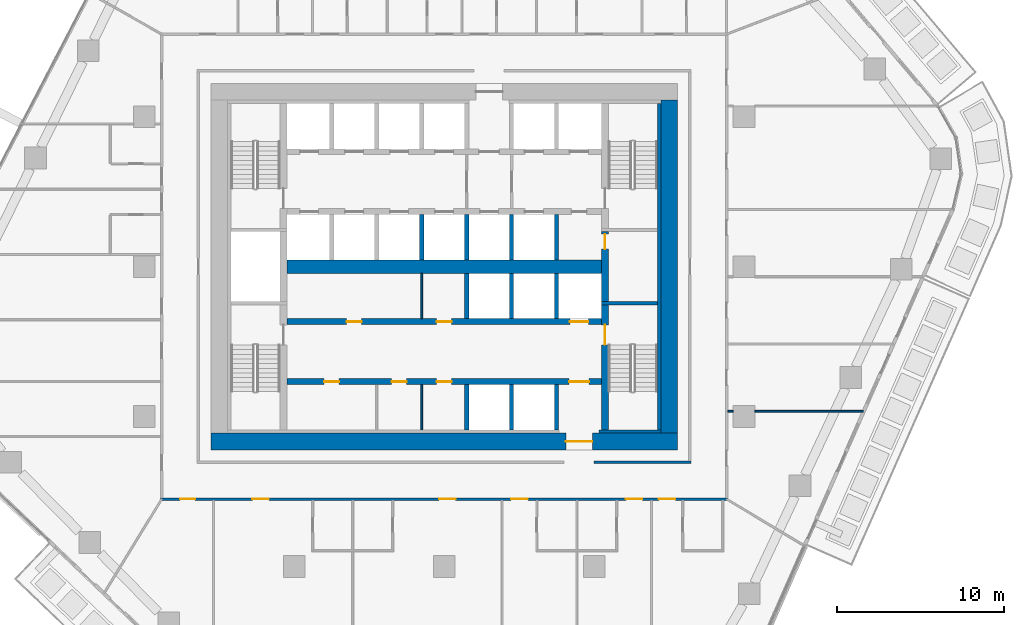
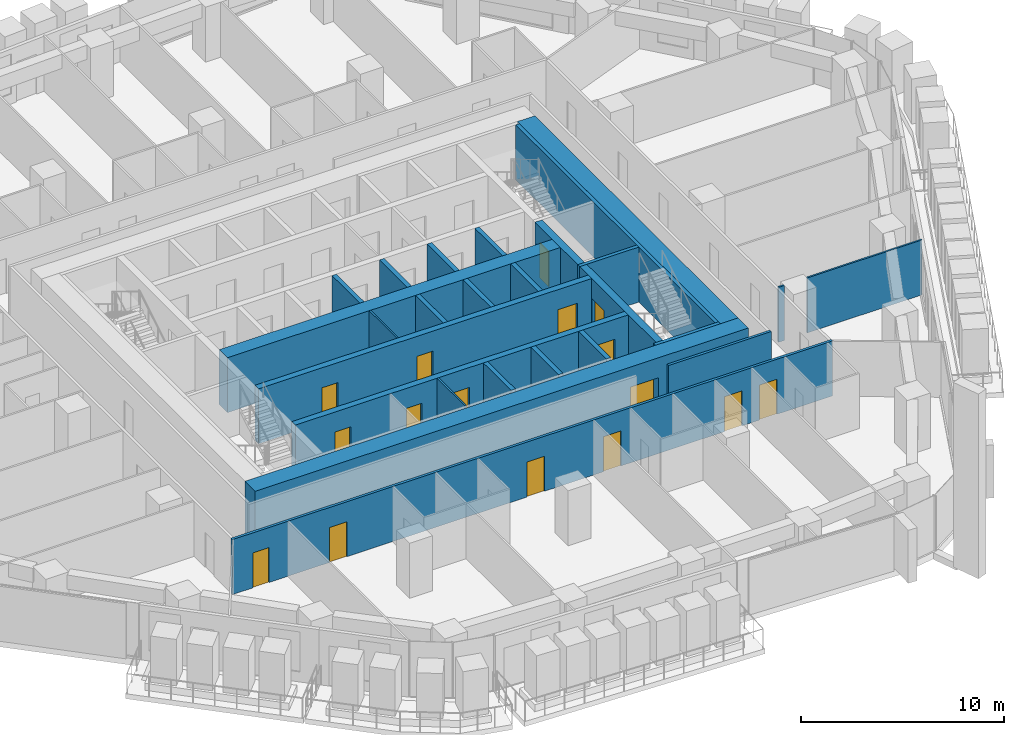
# One storey, part 13 of 24: 26 walls, 16 doors, 16 openings.
"""IFC4 building model written with IfcOpenShell, lengths in metres."""

from ifc_helpers import new_model, si_unit, direction, frame, frame_2d, origin, place, context, subcontext, project, spatial, rectangle, extrude, material, layer, layer_set, type_object, element, fill, save


model = new_model("IFC4")

# Units and contexts
model_context = context("Model", 3, precision=1e-05, world=origin(), true_north=direction((0.0, 1.0)))
body_context = subcontext(model_context, "Body", "Model", "MODEL_VIEW")
ifc_project = project(units=[si_unit("LENGTHUNIT", "METRE"), si_unit("AREAUNIT", "SQUARE_METRE"), si_unit("VOLUMEUNIT", "CUBIC_METRE"), si_unit("PLANEANGLEUNIT", "RADIAN"), si_unit("MASSUNIT", "GRAM", prefix="KILO")], contexts=[model_context])

# Site, building, storey
site_placement = place(None, origin())
site = spatial("IfcSite", under=ifc_project, at=site_placement, CompositionType="ELEMENT")
building_placement = place(site_placement, origin())
building = spatial("IfcBuilding", under=site, at=building_placement, Name="Dongbaek Canopy Tower", CompositionType="ELEMENT")
storey_placement = place(building_placement, frame((0.0, 0.0, 106.300048828125)))
storey = spatial("IfcBuildingStorey", under=building, at=storey_placement, Name="L22", CompositionType="ELEMENT", Elevation=106.300048828125)

# Wall
ifc_material_1 = material(Name="Concrete C60/75", Category="concrete")
ifc_layer_1 = layer(ifc_material_1, 0.800048828125)
ifc_layer_set_1 = layer_set([ifc_layer_1], Name="Core central wall 800 Concrete C60/75")
wall_type_1 = type_object("IfcWallType", Name="Core central wall 800 Concrete C60/75", PredefinedType="SHEAR", material=ifc_layer_set_1)
wall_1_placement = place(storey_placement, frame((-9.449951171875, 0.0, 0.0), z_axis=(0.0, 0.0, 1.0), x_axis=(1.0, 0.0, 0.0)))
element("IfcWall", 1, at=wall_1_placement, inside=storey, type_object=wall_type_1, Name="Core wall", PredefinedType="SHEAR", context=body_context, shape_type="SweptSolid", body=[
    extrude(rectangle(XDim=18.89990234375, YDim=0.800048828125, at=frame_2d((9.449951171875, 0.0))), origin(), (0.0, 0.0, 1.0), 3.300048828125),
])

# Wall, openings, doors
ifc_material_2 = material(Name="Concrete C60/75", Category="concrete")
ifc_layer_2 = layer(ifc_material_2, 0.35009765625)
ifc_layer_set_2 = layer_set([ifc_layer_2], Name="Core lobby wall 350 Concrete C60/75")
wall_type_2 = type_object("IfcWallType", Name="Core lobby wall 350 Concrete C60/75", PredefinedType="SHEAR", material=ifc_layer_set_2)
wall_2_placement = place(storey_placement, frame((-9.449951171875, -3.300048828125, 0.0), z_axis=(0.0, 0.0, 1.0), x_axis=(1.0, 0.0, 0.0)))
wall_2 = element("IfcWall", 2, at=wall_2_placement, inside=storey, type_object=wall_type_2, Name="Core wall", PredefinedType="SHEAR", context=body_context, shape_type="SweptSolid", body=[
    extrude(rectangle(XDim=18.89990234375, YDim=0.35009765625, at=frame_2d((9.449951171875, 0.0))), origin(), (0.0, 0.0, 1.0), 3.300048828125),
])
opening_1_placement = place(wall_2_placement, frame((17.0, 0.0, 0.0)))
opening_1 = element("IfcOpeningElement", 3, at=opening_1_placement, cuts=wall_2, Name="Opening L22-D057", PredefinedType="OPENING", context=body_context, shape_type="SweptSolid", body=[
    extrude(rectangle(XDim=1.10009765625, YDim=2.10009765625, at=frame_2d((0.550048828125, 1.050048828125))), frame((0.0, 0.18505859375, 0.0), z_axis=(0.0, -1.0, 0.0), x_axis=(1.0, 0.0, 0.0)), (0.0, 0.0, 1.0), 0.3701171875),
])
opening_2_placement = place(wall_2_placement, frame((3.60009765625, 0.0, 0.0)))
opening_2 = element("IfcOpeningElement", 4, at=opening_2_placement, cuts=wall_2, Name="Opening L22-D060", PredefinedType="OPENING", context=body_context, shape_type="SweptSolid", body=[
    extrude(rectangle(XDim=0.89990234375, YDim=2.10009765625, at=frame_2d((0.449951171875, 1.050048828125))), frame((0.0, 0.18505859375, 0.0), z_axis=(0.0, -1.0, 0.0), x_axis=(1.0, 0.0, 0.0)), (0.0, 0.0, 1.0), 0.3701171875),
])
opening_3_placement = place(wall_2_placement, frame((9.0, 0.0, 0.0)))
opening_3 = element("IfcOpeningElement", 5, at=opening_3_placement, cuts=wall_2, Name="Opening L22-D061", PredefinedType="OPENING", context=body_context, shape_type="SweptSolid", body=[
    extrude(rectangle(XDim=0.89990234375, YDim=2.10009765625, at=frame_2d((0.449951171875, 1.050048828125))), frame((0.0, 0.18505859375, 0.0), z_axis=(0.0, -1.0, 0.0), x_axis=(1.0, 0.0, 0.0)), (0.0, 0.0, 1.0), 0.3701171875),
])
ifc_material_3 = material(Name="Steel", Category="steel")
door_type_1 = type_object("IfcDoorType", Name="Core room door 900 x 2100", OperationType="SINGLE_SWING_LEFT", PredefinedType="DOOR", material=ifc_material_3)
door_1_placement = place(opening_2_placement, origin())
door_1 = element("IfcDoor", 6, at=door_1_placement, inside=storey, type_object=door_type_1, Name="Door L22-D060", OperationType="SINGLE_SWING_RIGHT", OverallHeight=2.10009765625, OverallWidth=0.89990234375, PredefinedType="DOOR", context=body_context, shape_type="SweptSolid", body=[
    extrude(rectangle(XDim=0.89990234375, YDim=2.10009765625, at=frame_2d((0.449951171875, 1.050048828125))), frame((0.0, 0.02490234375, 0.0), z_axis=(0.0, -1.0, 0.0), x_axis=(1.0, 0.0, 0.0)), (0.0, 0.0, 1.0), 0.050048828125),
])
fill(opening_2, door_1)
door_2_placement = place(opening_3_placement, origin())
door_2 = element("IfcDoor", 7, at=door_2_placement, inside=storey, type_object=door_type_1, Name="Door L22-D061", OperationType="SINGLE_SWING_LEFT", OverallHeight=2.10009765625, OverallWidth=0.89990234375, PredefinedType="DOOR", context=body_context, shape_type="SweptSolid", body=[
    extrude(rectangle(XDim=0.89990234375, YDim=2.10009765625, at=frame_2d((0.449951171875, 1.050048828125))), frame((0.0, 0.02490234375, 0.0), z_axis=(0.0, -1.0, 0.0), x_axis=(1.0, 0.0, 0.0)), (0.0, 0.0, 1.0), 0.050048828125),
])
fill(opening_3, door_2)
ifc_material_4 = material(Name="Stainless steel", Category="steel")
door_type_2 = type_object("IfcDoorType", Name="Lift landing door 1100 x 2100", OperationType="DOUBLE_DOOR_SLIDING", PredefinedType="DOOR", material=ifc_material_4)
door_3_placement = place(opening_1_placement, origin())
door_3 = element("IfcDoor", 8, at=door_3_placement, inside=storey, type_object=door_type_2, Name="Landing door SV2", OperationType="DOUBLE_DOOR_SLIDING", OverallHeight=2.10009765625, OverallWidth=1.10009765625, PredefinedType="DOOR", context=body_context, shape_type="SweptSolid", body=[
    extrude(rectangle(XDim=1.10009765625, YDim=2.10009765625, at=frame_2d((0.550048828125, 1.050048828125))), frame((0.0, 0.02490234375, 0.0), z_axis=(0.0, -1.0, 0.0), x_axis=(1.0, 0.0, 0.0)), (0.0, 0.0, 1.0), 0.050048828125),
])
fill(opening_1, door_3)

wall_3_placement = place(storey_placement, frame((9.449951171875, -6.89990234375, 0.0), z_axis=(0.0, 0.0, 1.0), x_axis=(-1.0, 0.0, 0.0)))
wall_3 = element("IfcWall", 9, at=wall_3_placement, inside=storey, type_object=wall_type_2, Name="Core wall", PredefinedType="SHEAR", context=body_context, shape_type="SweptSolid", body=[
    extrude(rectangle(XDim=18.89990234375, YDim=0.35009765625, at=frame_2d((9.449951171875, 0.0))), origin(), (0.0, 0.0, 1.0), 3.300048828125),
])
opening_4_placement = place(wall_3_placement, frame((0.75, 0.0, 0.0)))
opening_4 = element("IfcOpeningElement", 10, at=opening_4_placement, cuts=wall_3, Name="Opening L22-D059", PredefinedType="OPENING", context=body_context, shape_type="SweptSolid", body=[
    extrude(rectangle(XDim=1.199951171875, YDim=2.10009765625, at=frame_2d((0.60009765625, 1.050048828125))), frame((0.0, 0.18505859375, 0.0), z_axis=(0.0, -1.0, 0.0), x_axis=(1.0, 0.0, 0.0)), (0.0, 0.0, 1.0), 0.3701171875),
])
opening_5_placement = place(wall_3_placement, frame((15.75, 0.0, 0.0)))
opening_5 = element("IfcOpeningElement", 11, at=opening_5_placement, cuts=wall_3, Name="Opening L22-D062", PredefinedType="OPENING", context=body_context, shape_type="SweptSolid", body=[
    extrude(rectangle(XDim=0.89990234375, YDim=2.10009765625, at=frame_2d((0.449951171875, 1.050048828125))), frame((0.0, 0.18505859375, 0.0), z_axis=(0.0, -1.0, 0.0), x_axis=(1.0, 0.0, 0.0)), (0.0, 0.0, 1.0), 0.3701171875),
])
opening_6_placement = place(wall_3_placement, frame((11.699951171875, 0.0, 0.0)))
opening_6 = element("IfcOpeningElement", 12, at=opening_6_placement, cuts=wall_3, Name="Opening L22-D063", PredefinedType="OPENING", context=body_context, shape_type="SweptSolid", body=[
    extrude(rectangle(XDim=0.89990234375, YDim=2.10009765625, at=frame_2d((0.449951171875, 1.050048828125))), frame((0.0, 0.18505859375, 0.0), z_axis=(0.0, -1.0, 0.0), x_axis=(1.0, 0.0, 0.0)), (0.0, 0.0, 1.0), 0.3701171875),
])
opening_7_placement = place(wall_3_placement, frame((9.0, 0.0, 0.0)))
opening_7 = element("IfcOpeningElement", 13, at=opening_7_placement, cuts=wall_3, Name="Opening L22-D064", PredefinedType="OPENING", context=body_context, shape_type="SweptSolid", body=[
    extrude(rectangle(XDim=0.89990234375, YDim=2.10009765625, at=frame_2d((0.449951171875, 1.050048828125))), frame((0.0, 0.18505859375, 0.0), z_axis=(0.0, -1.0, 0.0), x_axis=(1.0, 0.0, 0.0)), (0.0, 0.0, 1.0), 0.3701171875),
])
door_4_placement = place(opening_5_placement, origin())
door_4 = element("IfcDoor", 14, at=door_4_placement, inside=storey, type_object=door_type_1, Name="Door L22-D062", OperationType="SINGLE_SWING_RIGHT", OverallHeight=2.10009765625, OverallWidth=0.89990234375, PredefinedType="DOOR", context=body_context, shape_type="SweptSolid", body=[
    extrude(rectangle(XDim=0.89990234375, YDim=2.10009765625, at=frame_2d((0.449951171875, 1.050048828125))), frame((0.0, 0.02490234375, 0.0), z_axis=(0.0, -1.0, 0.0), x_axis=(1.0, 0.0, 0.0)), (0.0, 0.0, 1.0), 0.050048828125),
])
fill(opening_5, door_4)
door_5_placement = place(opening_6_placement, origin())
door_5 = element("IfcDoor", 15, at=door_5_placement, inside=storey, type_object=door_type_1, Name="Door L22-D063", OperationType="SINGLE_SWING_LEFT", OverallHeight=2.10009765625, OverallWidth=0.89990234375, PredefinedType="DOOR", context=body_context, shape_type="SweptSolid", body=[
    extrude(rectangle(XDim=0.89990234375, YDim=2.10009765625, at=frame_2d((0.449951171875, 1.050048828125))), frame((0.0, 0.02490234375, 0.0), z_axis=(0.0, -1.0, 0.0), x_axis=(1.0, 0.0, 0.0)), (0.0, 0.0, 1.0), 0.050048828125),
])
fill(opening_6, door_5)
door_6_placement = place(opening_7_placement, origin())
door_6 = element("IfcDoor", 16, at=door_6_placement, inside=storey, type_object=door_type_1, Name="Door L22-D064", OperationType="SINGLE_SWING_RIGHT", OverallHeight=2.10009765625, OverallWidth=0.89990234375, PredefinedType="DOOR", context=body_context, shape_type="SweptSolid", body=[
    extrude(rectangle(XDim=0.89990234375, YDim=2.10009765625, at=frame_2d((0.449951171875, 1.050048828125))), frame((0.0, 0.02490234375, 0.0), z_axis=(0.0, -1.0, 0.0), x_axis=(1.0, 0.0, 0.0)), (0.0, 0.0, 1.0), 0.050048828125),
])
fill(opening_7, door_6)
ifc_material_5 = material(Name="Steel", Category="steel")
door_type_3 = type_object("IfcDoorType", Name="Fire lobby door 1200 x 2100", OperationType="SINGLE_SWING_LEFT", PredefinedType="DOOR", material=ifc_material_5)
door_7_placement = place(opening_4_placement, origin())
door_7 = element("IfcDoor", 17, at=door_7_placement, inside=storey, type_object=door_type_3, Name="Door L22-D059", OperationType="SINGLE_SWING_LEFT", OverallHeight=2.10009765625, OverallWidth=1.199951171875, PredefinedType="DOOR", context=body_context, shape_type="SweptSolid", body=[
    extrude(rectangle(XDim=1.199951171875, YDim=2.10009765625, at=frame_2d((0.60009765625, 1.050048828125))), frame((0.0, 0.02490234375, 0.0), z_axis=(0.0, -1.0, 0.0), x_axis=(1.0, 0.0, 0.0)), (0.0, 0.0, 1.0), 0.050048828125),
])
fill(opening_4, door_7)

# Wall, opening, door
ifc_material_6 = material(Name="Concrete C60/75", Category="concrete")
ifc_layer_3 = layer(ifc_material_6, 1.0)
ifc_layer_set_3 = layer_set([ifc_layer_3], Name="Core outer wall 1000 Concrete C60/75")
wall_type_3 = type_object("IfcWallType", Name="Core outer wall 1000 Concrete C60/75", PredefinedType="SHEAR", material=ifc_layer_set_3)
wall_4_placement = place(storey_placement, frame((14.0, -10.5, 0.0), z_axis=(0.0, 0.0, 1.0), x_axis=(-1.0, 0.0, 0.0)))
wall_4 = element("IfcWall", 18, at=wall_4_placement, inside=storey, type_object=wall_type_3, Name="Core wall", PredefinedType="SHEAR", context=body_context, shape_type="SweptSolid", body=[
    extrude(rectangle(XDim=28.0, YDim=1.0, at=frame_2d((14.0, 0.0))), origin(), (0.0, 0.0, 1.0), 3.300048828125),
])
opening_8_placement = place(wall_4_placement, frame((5.10009765625, 0.0, 0.0)))
opening_8 = element("IfcOpeningElement", 19, at=opening_8_placement, cuts=wall_4, Name="Opening L22-D058", PredefinedType="OPENING", context=body_context, shape_type="SweptSolid", body=[
    extrude(rectangle(XDim=1.60009765625, YDim=2.10009765625, at=frame_2d((0.800048828125, 1.050048828125))), frame((0.0, 0.510009765625, 0.0), z_axis=(0.0, -1.0, 0.0), x_axis=(1.0, 0.0, 0.0)), (0.0, 0.0, 1.0), 1.02001953125),
])
ifc_material_7 = material(Name="Steel", Category="steel")
door_type_4 = type_object("IfcDoorType", Name="Core exit door 1600 x 2100", OperationType="DOUBLE_DOOR_SINGLE_SWING", PredefinedType="DOOR", material=ifc_material_7)
door_8_placement = place(opening_8_placement, origin())
door_8 = element("IfcDoor", 20, at=door_8_placement, inside=storey, type_object=door_type_4, Name="Core exit door", OperationType="DOUBLE_DOOR_SINGLE_SWING", OverallHeight=2.10009765625, OverallWidth=1.60009765625, PredefinedType="DOOR", context=body_context, shape_type="SweptSolid", body=[
    extrude(rectangle(XDim=1.60009765625, YDim=2.10009765625, at=frame_2d((0.800048828125, 1.050048828125))), frame((0.0, 0.02490234375, 0.0), z_axis=(0.0, -1.0, 0.0), x_axis=(1.0, 0.0, 0.0)), (0.0, 0.0, 1.0), 0.050048828125),
])
fill(opening_8, door_8)

# Walls
wall_5_placement = place(storey_placement, frame((13.5, 10.0, 0.0), z_axis=(0.0, 0.0, 1.0), x_axis=(0.0, -1.0, 0.0)))
element("IfcWall", 21, at=wall_5_placement, inside=storey, type_object=wall_type_3, Name="Core wall", PredefinedType="SHEAR", context=body_context, shape_type="SweptSolid", body=[
    extrude(rectangle(XDim=20.0, YDim=1.0, at=frame_2d((10.0, 0.0))), origin(), (0.0, 0.0, 1.0), 3.300048828125),
])
ifc_material_8 = material(Name="Concrete C60/75", Category="concrete")
ifc_layer_4 = layer(ifc_material_8, 0.199951171875)
ifc_layer_set_4 = layer_set([ifc_layer_4], Name="Core wall lining 200 Concrete C60/75")
wall_type_4 = type_object("IfcWallType", Name="Core wall lining 200 Concrete C60/75", PredefinedType="SHEAR", material=ifc_layer_set_4)
wall_6_placement = place(storey_placement, frame((13.0, -9.89990234375, 0.0), z_axis=(0.0, 0.0, 1.0), x_axis=(-1.0, 0.0, 0.0)))
element("IfcWall", 22, at=wall_6_placement, inside=storey, type_object=wall_type_4, Name="Core wall lining", PredefinedType="SHEAR", context=body_context, shape_type="SweptSolid", body=[
    extrude(rectangle(XDim=3.699951171875, YDim=0.199951171875, at=frame_2d((1.85009765625, 0.0))), origin(), (0.0, 0.0, 1.0), 3.300048828125),
])
wall_7_placement = place(storey_placement, frame((12.89990234375, 9.800048828125, 0.0), z_axis=(0.0, 0.0, 1.0), x_axis=(0.0, -1.0, 0.0)))
element("IfcWall", 23, at=wall_7_placement, inside=storey, type_object=wall_type_4, Name="Core wall lining", PredefinedType="SHEAR", context=body_context, shape_type="SweptSolid", body=[
    extrude(rectangle(XDim=19.60009765625, YDim=0.199951171875, at=frame_2d((9.800048828125, 0.0))), origin(), (0.0, 0.0, 1.0), 3.300048828125),
])

# Wall, openings, doors
ifc_material_9 = material(Name="Gypsum board partition, steel stud, 2 x 15 mm fire board", Category="steel")
ifc_layer_5 = layer(ifc_material_9, 0.14990234375)
ifc_layer_set_5 = layer_set([ifc_layer_5], Name="Fire-rated partition 150 gypsum board")
wall_type_5 = type_object("IfcWallType", Name="Fire-rated partition 150 gypsum board", PredefinedType="PARTITIONING", material=ifc_layer_set_5)
wall_8_placement = place(storey_placement, frame((17.02490234375, -13.949951171875, 0.0), z_axis=(0.0, 0.0, 1.0), x_axis=(-1.0, 0.0, 0.0)))
wall_8 = element("IfcWall", 24, at=wall_8_placement, inside=storey, type_object=wall_type_5, Name="Corridor partition", PredefinedType="PARTITIONING", context=body_context, shape_type="SweptSolid", body=[
    extrude(rectangle(XDim=34.0498046875, YDim=0.14990234375, at=frame_2d((17.02490234375, 0.0))), origin(), (0.0, 0.0, 1.0), 3.300048828125),
])
opening_9_placement = place(wall_8_placement, frame((31.9736328125, 0.0, 0.0)))
opening_9 = element("IfcOpeningElement", 25, at=opening_9_placement, cuts=wall_8, Name="Opening L22-D004", PredefinedType="OPENING", context=body_context, shape_type="SweptSolid", body=[
    extrude(rectangle(XDim=0.89990234375, YDim=2.10009765625, at=frame_2d((0.449951171875, 1.050048828125))), frame((0.0, 0.0849609375, 0.0), z_axis=(0.0, -1.0, 0.0), x_axis=(1.0, 0.0, 0.0)), (0.0, 0.0, 1.0), 0.169921875),
])
opening_10_placement = place(wall_8_placement, frame((27.543212890625, 0.0, 0.0)))
opening_10 = element("IfcOpeningElement", 26, at=opening_10_placement, cuts=wall_8, Name="Opening L22-D006", PredefinedType="OPENING", context=body_context, shape_type="SweptSolid", body=[
    extrude(rectangle(XDim=1.0, YDim=2.10009765625, at=frame_2d((0.5, 1.050048828125))), frame((0.0, 0.0849609375, 0.0), z_axis=(0.0, -1.0, 0.0), x_axis=(1.0, 0.0, 0.0)), (0.0, 0.0, 1.0), 0.169921875),
])
opening_11_placement = place(wall_8_placement, frame((16.332763671875, 0.0, 0.0)))
opening_11 = element("IfcOpeningElement", 27, at=opening_11_placement, cuts=wall_8, Name="Opening L22-D008", PredefinedType="OPENING", context=body_context, shape_type="SweptSolid", body=[
    extrude(rectangle(XDim=1.0, YDim=2.10009765625, at=frame_2d((0.5, 1.050048828125))), frame((0.0, 0.0849609375, 0.0), z_axis=(0.0, -1.0, 0.0), x_axis=(1.0, 0.0, 0.0)), (0.0, 0.0, 1.0), 0.169921875),
])
opening_12_placement = place(wall_8_placement, frame((12.005615234375, 0.0, 0.0)))
opening_12 = element("IfcOpeningElement", 28, at=opening_12_placement, cuts=wall_8, Name="Opening L22-D010", PredefinedType="OPENING", context=body_context, shape_type="SweptSolid", body=[
    extrude(rectangle(XDim=1.0, YDim=2.10009765625, at=frame_2d((0.5, 1.050048828125))), frame((0.0, 0.0849609375, 0.0), z_axis=(0.0, -1.0, 0.0), x_axis=(1.0, 0.0, 0.0)), (0.0, 0.0, 1.0), 0.169921875),
])
opening_13_placement = place(wall_8_placement, frame((5.123779296875, 0.0, 0.0)))
opening_13 = element("IfcOpeningElement", 29, at=opening_13_placement, cuts=wall_8, Name="Opening L22-D012", PredefinedType="OPENING", context=body_context, shape_type="SweptSolid", body=[
    extrude(rectangle(XDim=1.0, YDim=2.10009765625, at=frame_2d((0.5, 1.050048828125))), frame((0.0, 0.0849609375, 0.0), z_axis=(0.0, -1.0, 0.0), x_axis=(1.0, 0.0, 0.0)), (0.0, 0.0, 1.0), 0.169921875),
])
opening_14_placement = place(wall_8_placement, frame((3.14404296875, 0.0, 0.0)))
opening_14 = element("IfcOpeningElement", 30, at=opening_14_placement, cuts=wall_8, Name="Opening L22-D014", PredefinedType="OPENING", context=body_context, shape_type="SweptSolid", body=[
    extrude(rectangle(XDim=1.0, YDim=2.10009765625, at=frame_2d((0.5, 1.050048828125))), frame((0.0, 0.0849609375, 0.0), z_axis=(0.0, -1.0, 0.0), x_axis=(1.0, 0.0, 0.0)), (0.0, 0.0, 1.0), 0.169921875),
])
ifc_material_10 = material(Name="Timber veneered door leaf", Category="wood")
door_type_5 = type_object("IfcDoorType", Name="Guest room door 1000 x 2100", OperationType="SINGLE_SWING_LEFT", PredefinedType="DOOR", material=ifc_material_10)
door_9_placement = place(opening_10_placement, origin())
door_9 = element("IfcDoor", 31, at=door_9_placement, inside=storey, type_object=door_type_5, Name="Door L22-D006", OperationType="SINGLE_SWING_LEFT", OverallHeight=2.10009765625, OverallWidth=1.0, PredefinedType="DOOR", context=body_context, shape_type="SweptSolid", body=[
    extrude(rectangle(XDim=1.0, YDim=2.10009765625, at=frame_2d((0.5, 1.050048828125))), frame((0.0, 0.02490234375, 0.0), z_axis=(0.0, -1.0, 0.0), x_axis=(1.0, 0.0, 0.0)), (0.0, 0.0, 1.0), 0.050048828125),
])
fill(opening_10, door_9)
door_10_placement = place(opening_11_placement, origin())
door_10 = element("IfcDoor", 32, at=door_10_placement, inside=storey, type_object=door_type_5, Name="Door L22-D008", OperationType="SINGLE_SWING_RIGHT", OverallHeight=2.10009765625, OverallWidth=1.0, PredefinedType="DOOR", context=body_context, shape_type="SweptSolid", body=[
    extrude(rectangle(XDim=1.0, YDim=2.10009765625, at=frame_2d((0.5, 1.050048828125))), frame((0.0, 0.02490234375, 0.0), z_axis=(0.0, -1.0, 0.0), x_axis=(1.0, 0.0, 0.0)), (0.0, 0.0, 1.0), 0.050048828125),
])
fill(opening_11, door_10)
door_11_placement = place(opening_12_placement, origin())
door_11 = element("IfcDoor", 33, at=door_11_placement, inside=storey, type_object=door_type_5, Name="Door L22-D010", OperationType="SINGLE_SWING_LEFT", OverallHeight=2.10009765625, OverallWidth=1.0, PredefinedType="DOOR", context=body_context, shape_type="SweptSolid", body=[
    extrude(rectangle(XDim=1.0, YDim=2.10009765625, at=frame_2d((0.5, 1.050048828125))), frame((0.0, 0.02490234375, 0.0), z_axis=(0.0, -1.0, 0.0), x_axis=(1.0, 0.0, 0.0)), (0.0, 0.0, 1.0), 0.050048828125),
])
fill(opening_12, door_11)
door_12_placement = place(opening_13_placement, origin())
door_12 = element("IfcDoor", 34, at=door_12_placement, inside=storey, type_object=door_type_5, Name="Door L22-D012", OperationType="SINGLE_SWING_RIGHT", OverallHeight=2.10009765625, OverallWidth=1.0, PredefinedType="DOOR", context=body_context, shape_type="SweptSolid", body=[
    extrude(rectangle(XDim=1.0, YDim=2.10009765625, at=frame_2d((0.5, 1.050048828125))), frame((0.0, 0.02490234375, 0.0), z_axis=(0.0, -1.0, 0.0), x_axis=(1.0, 0.0, 0.0)), (0.0, 0.0, 1.0), 0.050048828125),
])
fill(opening_13, door_12)
door_13_placement = place(opening_14_placement, origin())
door_13 = element("IfcDoor", 35, at=door_13_placement, inside=storey, type_object=door_type_5, Name="Door L22-D014", OperationType="SINGLE_SWING_LEFT", OverallHeight=2.10009765625, OverallWidth=1.0, PredefinedType="DOOR", context=body_context, shape_type="SweptSolid", body=[
    extrude(rectangle(XDim=1.0, YDim=2.10009765625, at=frame_2d((0.5, 1.050048828125))), frame((0.0, 0.02490234375, 0.0), z_axis=(0.0, -1.0, 0.0), x_axis=(1.0, 0.0, 0.0)), (0.0, 0.0, 1.0), 0.050048828125),
])
fill(opening_14, door_13)
ifc_material_11 = material(Name="Timber veneered door leaf", Category="wood")
door_type_6 = type_object("IfcDoorType", Name="Room door 900 x 2100", OperationType="SINGLE_SWING_LEFT", PredefinedType="DOOR", material=ifc_material_11)
door_14_placement = place(opening_9_placement, origin())
door_14 = element("IfcDoor", 36, at=door_14_placement, inside=storey, type_object=door_type_6, Name="Door L22-D004", OperationType="SINGLE_SWING_RIGHT", OverallHeight=2.10009765625, OverallWidth=0.89990234375, PredefinedType="DOOR", context=body_context, shape_type="SweptSolid", body=[
    extrude(rectangle(XDim=0.89990234375, YDim=2.10009765625, at=frame_2d((0.449951171875, 1.050048828125))), frame((0.0, 0.02490234375, 0.0), z_axis=(0.0, -1.0, 0.0), x_axis=(1.0, 0.0, 0.0)), (0.0, 0.0, 1.0), 0.050048828125),
])
fill(opening_9, door_14)

# Walls
wall_9_placement = place(storey_placement, frame((9.0, -11.75, 0.0), z_axis=(0.0, 0.0, 1.0), x_axis=(1.0, 0.0, 0.0)))
element("IfcWall", 37, at=wall_9_placement, inside=storey, type_object=wall_type_5, Name="Corridor partition", PredefinedType="PARTITIONING", context=body_context, shape_type="SweptSolid", body=[
    extrude(rectangle(XDim=5.824951171875, YDim=0.14990234375, at=frame_2d((2.91259765625, 0.0))), origin(), (0.0, 0.0, 1.0), 3.300048828125),
])
ifc_material_12 = material(Name="Concrete C40/50", Category="concrete")
ifc_layer_6 = layer(ifc_material_12, 0.25)
ifc_layer_set_6 = layer_set([ifc_layer_6], Name="Lift shaft wall 250 Concrete C40/50")
wall_type_6 = type_object("IfcWallType", Name="Lift shaft wall 250 Concrete C40/50", PredefinedType="SOLIDWALL", material=ifc_layer_set_6)
for number, where, z_axis, x_axis, name in (
    (38, (6.75, -9.800048828125, 0.0), (0.0, 0.0, 1.0), (0.0, 1.0, 0.0), "Lift shaft wall"),
    (39, (6.75, -3.125, 0.0), (0.0, 0.0, 1.0), (0.0, 1.0, 0.0), "Lift shaft wall"),
    (40, (6.75, 0.39990234375, 0.0), (0.0, 0.0, 1.0), (0.0, 1.0, 0.0), "Lift shaft wall"),
    (41, (4.050048828125, -9.800048828125, 0.0), (0.0, 0.0, 1.0), (0.0, 1.0, 0.0), "Lift shaft wall"),
    (42, (4.050048828125, -3.125, 0.0), (0.0, 0.0, 1.0), (0.0, 1.0, 0.0), "Lift shaft wall"),
    (43, (4.050048828125, 0.39990234375, 0.0), (0.0, 0.0, 1.0), (0.0, 1.0, 0.0), "Lift shaft wall"),
    (44, (1.35009765625, -9.800048828125, 0.0), (0.0, 0.0, 1.0), (0.0, 1.0, 0.0), "Lift shaft wall"),
    (45, (1.35009765625, -3.125, 0.0), (0.0, 0.0, 1.0), (0.0, 1.0, 0.0), "Lift shaft wall"),
    (46, (1.35009765625, 0.39990234375, 0.0), (0.0, 0.0, 1.0), (0.0, 1.0, 0.0), "Lift shaft wall"),
    (47, (-1.35009765625, 0.39990234375, 0.0), (0.0, 0.0, 1.0), (0.0, 1.0, 0.0), "Lift shaft wall"),
):
    element("IfcWall", number, at=place(storey_placement, frame(where, z_axis=z_axis, x_axis=x_axis)), inside=storey, type_object=wall_type_6, Name=name, PredefinedType="SOLIDWALL", context=body_context, shape_type="SweptSolid", body=[
        extrude(rectangle(XDim=2.72509765625, YDim=0.25, at=frame_2d((1.362548828125, 0.0))), origin(), (0.0, 0.0, 1.0), 3.300048828125),
    ])
ifc_material_13 = material(Name="Gypsum board partition, steel stud, 2 x 12.5 mm board", Category="steel")
ifc_layer_7 = layer(ifc_material_13, 0.10009765625)
ifc_layer_set_7 = layer_set([ifc_layer_7], Name="Partition 100 gypsum board")
wall_type_7 = type_object("IfcWallType", Name="Partition 100 gypsum board", PredefinedType="PARTITIONING", material=ifc_layer_set_7)
wall_10_placement = place(storey_placement, frame((17.02490234375, -8.680908203125, 0.0), z_axis=(0.0, 0.0, 1.0), x_axis=(1.0, 0.0, 0.0)))
element("IfcWall", 48, at=wall_10_placement, inside=storey, type_object=wall_type_7, Name="Partition", PredefinedType="PARTITIONING", context=body_context, shape_type="SweptSolid", body=[
    extrude(rectangle(XDim=0.3251953125, YDim=0.10009765625, at=frame_2d((0.16259765625, 0.0))), origin(), (0.0, 0.0, 1.0), 3.300048828125),
])
wall_11_placement = place(storey_placement, frame((18.64990234375, -8.680908203125, 0.0), z_axis=(0.0, 0.0, 1.0), x_axis=(1.0, 0.0, 0.0)))
element("IfcWall", 49, at=wall_11_placement, inside=storey, type_object=wall_type_7, Name="Partition", PredefinedType="PARTITIONING", context=body_context, shape_type="SweptSolid", body=[
    extrude(rectangle(XDim=6.515380859375, YDim=0.10009765625, at=frame_2d((3.2578125, 0.0))), origin(), (0.0, 0.0, 1.0), 3.300048828125),
])
for number, where, z_axis, x_axis, name in (
    (50, (-1.35009765625, -9.800048828125, 0.0), (0.0, 0.0, 1.0), (0.0, 1.0, 0.0), "Core partition"),
    (51, (-1.35009765625, -3.125, 0.0), (0.0, 0.0, 1.0), (0.0, 1.0, 0.0), "Core partition"),
):
    element("IfcWall", number, at=place(storey_placement, frame(where, z_axis=z_axis, x_axis=x_axis)), inside=storey, type_object=wall_type_7, Name=name, PredefinedType="PARTITIONING", context=body_context, shape_type="SweptSolid", body=[
        extrude(rectangle(XDim=2.72509765625, YDim=0.10009765625, at=frame_2d((1.362548828125, 0.0))), origin(), (0.0, 0.0, 1.0), 3.300048828125),
    ])
ifc_material_14 = material(Name="Concrete C60/75", Category="concrete")
ifc_layer_8 = layer(ifc_material_14, 0.199951171875)
ifc_layer_set_8 = layer_set([ifc_layer_8], Name="Riser wall 200 Concrete C60/75")
wall_type_8 = type_object("IfcWallType", Name="Riser wall 200 Concrete C60/75", PredefinedType="SHEAR", material=ifc_layer_set_8)
wall_12_placement = place(storey_placement, frame((9.449951171875, -2.199951171875, 0.0), z_axis=(0.0, 0.0, 1.0), x_axis=(1.0, 0.0, 0.0)))
element("IfcWall", 52, at=wall_12_placement, inside=storey, type_object=wall_type_8, Name="Riser wall", PredefinedType="SHEAR", context=body_context, shape_type="SweptSolid", body=[
    extrude(rectangle(XDim=3.35009765625, YDim=0.199951171875, at=frame_2d((1.675048828125, 0.0))), origin(), (0.0, 0.0, 1.0), 3.300048828125),
])

# Wall, opening, door
ifc_material_15 = material(Name="Concrete C60/75", Category="concrete")
ifc_layer_9 = layer(ifc_material_15, 0.39990234375)
ifc_layer_set_9 = layer_set([ifc_layer_9], Name="Stair wall 400 Concrete C60/75")
wall_type_9 = type_object("IfcWallType", Name="Stair wall 400 Concrete C60/75", PredefinedType="SHEAR", material=ifc_layer_set_9)
wall_13_placement = place(storey_placement, frame((9.64990234375, -2.300048828125, 0.0), z_axis=(0.0, 0.0, 1.0), x_axis=(0.0, -1.0, 0.0)))
wall_13 = element("IfcWall", 53, at=wall_13_placement, inside=storey, type_object=wall_type_9, Name="Stair wall", PredefinedType="SHEAR", context=body_context, shape_type="SweptSolid", body=[
    extrude(rectangle(XDim=7.5, YDim=0.39990234375, at=frame_2d((3.75, 0.0))), origin(), (0.0, 0.0, 1.0), 3.300048828125),
])
opening_15_placement = place(wall_13_placement, frame((1.199951171875, 0.0, 0.0)))
opening_15 = element("IfcOpeningElement", 54, at=opening_15_placement, cuts=wall_13, Name="Opening L22-D067", PredefinedType="OPENING", context=body_context, shape_type="SweptSolid", body=[
    extrude(rectangle(XDim=1.199951171875, YDim=2.10009765625, at=frame_2d((0.60009765625, 1.050048828125))), frame((0.0, 0.2099609375, 0.0), z_axis=(0.0, -1.0, 0.0), x_axis=(1.0, 0.0, 0.0)), (0.0, 0.0, 1.0), 0.419921875),
])
ifc_material_16 = material(Name="Steel", Category="steel")
door_type_7 = type_object("IfcDoorType", Name="Stair door 1200 x 2100", OperationType="SINGLE_SWING_LEFT", PredefinedType="DOOR", material=ifc_material_16)
door_15_placement = place(opening_15_placement, origin())
door_15 = element("IfcDoor", 55, at=door_15_placement, inside=storey, type_object=door_type_7, Name="Stair B door", OperationType="SINGLE_SWING_RIGHT", OverallHeight=2.10009765625, OverallWidth=1.199951171875, PredefinedType="DOOR", context=body_context, shape_type="SweptSolid", body=[
    extrude(rectangle(XDim=1.199951171875, YDim=2.10009765625, at=frame_2d((0.60009765625, 1.050048828125))), frame((0.0, 0.02490234375, 0.0), z_axis=(0.0, -1.0, 0.0), x_axis=(1.0, 0.0, 0.0)), (0.0, 0.0, 1.0), 0.050048828125),
])
fill(opening_15, door_15)

wall_14_placement = place(storey_placement, frame((9.64990234375, 2.10009765625, 0.0), z_axis=(0.0, 0.0, 1.0), x_axis=(0.0, -1.0, 0.0)))
wall_14 = element("IfcWall", 56, at=wall_14_placement, inside=storey, type_object=wall_type_9, Name="Stair wall", PredefinedType="SHEAR", context=body_context, shape_type="SweptSolid", body=[
    extrude(rectangle(XDim=4.2001953125, YDim=0.39990234375, at=frame_2d((2.10009765625, 0.0))), origin(), (0.0, 0.0, 1.0), 3.300048828125),
])
opening_16_placement = place(wall_14_placement, frame((0.14990234375, 0.0, 0.0)))
opening_16 = element("IfcOpeningElement", 57, at=opening_16_placement, cuts=wall_14, Name="Opening L22-D041", PredefinedType="OPENING", context=body_context, shape_type="SweptSolid", body=[
    extrude(rectangle(XDim=0.89990234375, YDim=2.10009765625, at=frame_2d((0.449951171875, 1.050048828125))), frame((0.0, 0.2099609375, 0.0), z_axis=(0.0, -1.0, 0.0), x_axis=(1.0, 0.0, 0.0)), (0.0, 0.0, 1.0), 0.419921875),
])
door_16_placement = place(opening_16_placement, origin())
door_16 = element("IfcDoor", 58, at=door_16_placement, inside=storey, type_object=door_type_1, Name="Door L22-D041", OperationType="SINGLE_SWING_RIGHT", OverallHeight=2.10009765625, OverallWidth=0.89990234375, PredefinedType="DOOR", context=body_context, shape_type="SweptSolid", body=[
    extrude(rectangle(XDim=0.89990234375, YDim=2.10009765625, at=frame_2d((0.449951171875, 1.050048828125))), frame((0.0, 0.02490234375, 0.0), z_axis=(0.0, -1.0, 0.0), x_axis=(1.0, 0.0, 0.0)), (0.0, 0.0, 1.0), 0.050048828125),
])
fill(opening_16, door_16)

save(model, "model.ifc")
